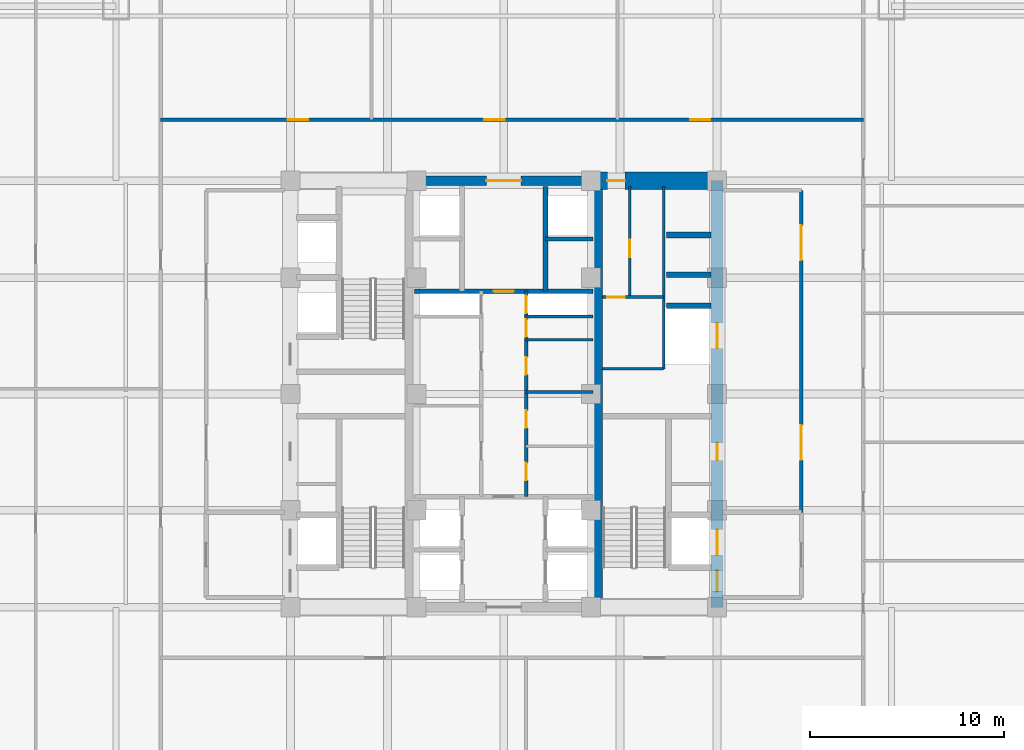
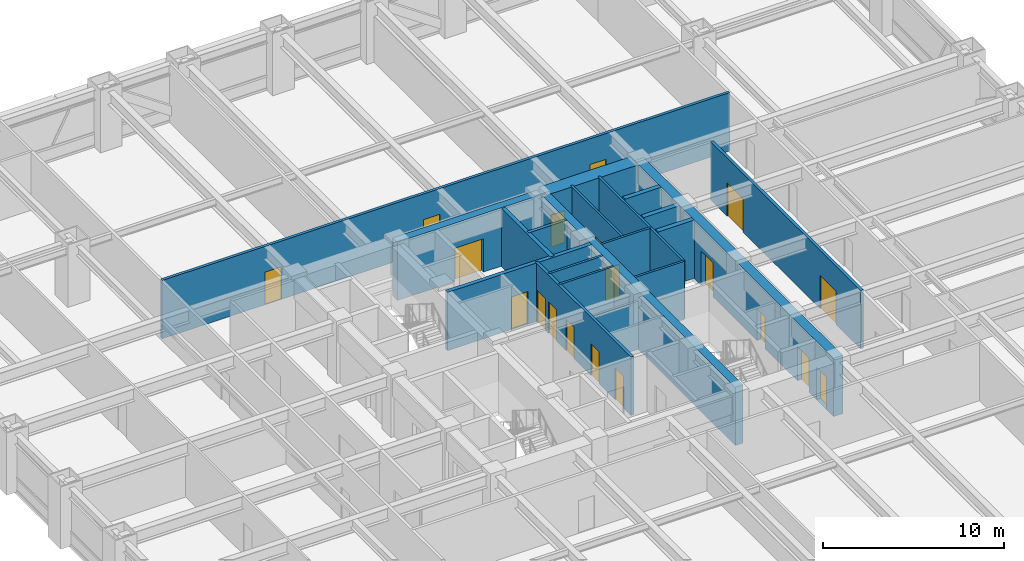
# One storey, part 26 of 32: 20 walls, 19 doors, 19 openings.
"""IFC4 building model written with IfcOpenShell, lengths in metres."""

from ifc_helpers import new_model, si_unit, direction, frame, frame_2d, origin, place, context, subcontext, project, spatial, rectangle, extrude, source, transform, mapped, material, layer, layer_set, type_object, element, fill, save


model = new_model("IFC4")

# Units and contexts
model_context = context("Model", 3, precision=1e-05, world=origin(), true_north=direction((0.0, 1.0)))
body_context = subcontext(model_context, "Body", "Model", "MODEL_VIEW")
ifc_project = project(units=[si_unit("LENGTHUNIT", "METRE"), si_unit("AREAUNIT", "SQUARE_METRE"), si_unit("VOLUMEUNIT", "CUBIC_METRE"), si_unit("PLANEANGLEUNIT", "RADIAN"), si_unit("MASSUNIT", "GRAM", prefix="KILO")], contexts=[model_context])

# Site, building, storey
site_placement = place(None, origin())
site = spatial("IfcSite", under=ifc_project, at=site_placement, CompositionType="ELEMENT")
building_placement = place(site_placement, origin())
building = spatial("IfcBuilding", under=site, at=building_placement, Name="Khorayat Bourse Tower", CompositionType="ELEMENT")
storey_placement = place(building_placement, frame((0.0, 0.0, 70.39990234375)))
storey = spatial("IfcBuildingStorey", under=building, at=storey_placement, Name="L15", CompositionType="ELEMENT", Elevation=70.39990234375)

# Wall, openings, doors
ifc_material_1 = material(Name="Concrete C60/75", Category="concrete")
ifc_layer_1 = layer(ifc_material_1, 0.60009765625)
ifc_layer_set_1 = layer_set([ifc_layer_1], Name="Concrete C60/75")
wall_type_1 = type_object("IfcWallType", Name="WAL-CORE-600", PredefinedType="SHEAR", material=ifc_layer_set_1)
shared_shape_1 = source(origin(), body_context, "Body", "SweptSolid", [
    extrude(rectangle(XDim=22.0, YDim=0.60009765625, at=frame_2d((11.0, 0.0))), origin(), (0.0, 0.0, 1.0), 3.940185546875),
])
wall_1_placement = place(storey_placement, frame((11.0, -11.0, 0.0), z_axis=(0.0, 0.0, 1.0), x_axis=(0.0, 1.0, 0.0)))
wall_1 = element("IfcWall", 1, at=wall_1_placement, inside=storey, type_object=wall_type_1, Name="L15 Core Shear Wall CORE-E", PredefinedType="SHEAR", context=body_context, shape_type="MappedRepresentation", body=[
    mapped(shared_shape_1, transform((0.0, 0.0, 0.0), scale=1.0)),
])
shared_shape_2 = source(origin(), body_context, "Body", "SweptSolid", [
    extrude(rectangle(XDim=1.10009765625, YDim=2.199951171875, at=frame_2d((0.550048828125, 1.10009765625))), frame((0.0, 0.31005859375, 0.0), z_axis=(0.0, -1.0, 0.0), x_axis=(1.0, 0.0, 0.0)), (0.0, 0.0, 1.0), 0.6201171875),
])
opening_1_placement = place(wall_1_placement, frame((0.800048828125, 0.0, 0.0)))
opening_1 = element("IfcOpeningElement", 2, at=opening_1_placement, cuts=wall_1, Name="Opening DI-01", PredefinedType="OPENING", context=body_context, shape_type="MappedRepresentation", body=[
    mapped(shared_shape_2, transform((0.0, 0.0, 0.0), scale=1.0)),
])
shared_shape_3 = source(origin(), body_context, "Body", "SweptSolid", [
    extrude(rectangle(XDim=0.89990234375, YDim=2.14990234375, at=frame_2d((0.449951171875, 1.074951171875))), frame((0.0, 0.31005859375, 0.0), z_axis=(0.0, -1.0, 0.0), x_axis=(1.0, 0.0, 0.0)), (0.0, 0.0, 1.0), 0.6201171875),
])
opening_2_placement = place(wall_1_placement, frame((7.574951171875, 0.0, 0.0)))
opening_2 = element("IfcOpeningElement", 3, at=opening_2_placement, cuts=wall_1, Name="Opening DI-06", PredefinedType="OPENING", context=body_context, shape_type="MappedRepresentation", body=[
    mapped(shared_shape_3, transform((0.0, 0.0, 0.0), scale=1.0)),
])
shared_shape_4 = source(origin(), body_context, "Body", "SweptSolid", [
    extrude(rectangle(XDim=1.300048828125, YDim=2.300048828125, at=frame_2d((0.64990234375, 1.14990234375))), frame((0.0, 0.31005859375, 0.0), z_axis=(0.0, -1.0, 0.0), x_axis=(1.0, 0.0, 0.0)), (0.0, 0.0, 1.0), 0.6201171875),
])
opening_3_placement = place(wall_1_placement, frame((2.699951171875, 0.0, 0.0)))
opening_3 = element("IfcOpeningElement", 4, at=opening_3_placement, cuts=wall_1, Name="Opening LD-02", PredefinedType="OPENING", context=body_context, shape_type="MappedRepresentation", body=[
    mapped(shared_shape_4, transform((0.0, 0.0, 0.0), scale=1.0)),
])
opening_4_placement = place(wall_1_placement, frame((13.35009765625, 0.0, 0.0)))
opening_4 = element("IfcOpeningElement", 5, at=opening_4_placement, cuts=wall_1, Name="Opening LD-02", PredefinedType="OPENING", context=body_context, shape_type="MappedRepresentation", body=[
    mapped(shared_shape_4, transform((0.0, 0.0, 0.0), scale=1.0)),
])
ifc_material_2 = material(Name="Fire-rated steel acoustic leaf", Category="steel")
door_type_1 = type_object("IfcDoorType", Name="DR-INT-STAIR-1100", OperationType="NOTDEFINED", PredefinedType="DOOR", material=ifc_material_2)
shared_shape_5 = source(origin(), body_context, "Body", "SweptSolid", [
    extrude(rectangle(XDim=1.10009765625, YDim=2.199951171875, at=frame_2d((0.550048828125, 1.10009765625))), frame((0.0, 0.02490234375, 0.0), z_axis=(0.0, -1.0, 0.0), x_axis=(1.0, 0.0, 0.0)), (0.0, 0.0, 1.0), 0.050048828125),
])
door_1_placement = place(opening_1_placement, origin())
door_1 = element("IfcDoor", 6, at=door_1_placement, inside=storey, type_object=door_type_1, Name="L15 Exit Stair 3 Door", OperationType="SINGLE_SWING_LEFT", OverallHeight=2.199951171875, OverallWidth=1.10009765625, PredefinedType="DOOR", context=body_context, shape_type="MappedRepresentation", body=[
    mapped(shared_shape_5, transform((0.0, 0.0, 0.0), scale=1.0)),
])
fill(opening_1, door_1)
ifc_material_3 = material(Name="Moisture-resistant laminate washroom door")
door_type_2 = type_object("IfcDoorType", Name="DR-INT-WC-900", OperationType="NOTDEFINED", PredefinedType="DOOR", material=ifc_material_3)
shared_shape_6 = source(origin(), body_context, "Body", "SweptSolid", [
    extrude(rectangle(XDim=0.89990234375, YDim=2.14990234375, at=frame_2d((0.449951171875, 1.074951171875))), frame((0.0, 0.02490234375, 0.0), z_axis=(0.0, -1.0, 0.0), x_axis=(1.0, 0.0, 0.0)), (0.0, 0.0, 1.0), 0.050048828125),
])
door_2_placement = place(opening_2_placement, origin())
door_2 = element("IfcDoor", 7, at=door_2_placement, inside=storey, type_object=door_type_2, Name="L15 Fiber Server Plant Room Door", OperationType="SINGLE_SWING_LEFT", OverallHeight=2.14990234375, OverallWidth=0.89990234375, PredefinedType="DOOR", context=body_context, shape_type="MappedRepresentation", body=[
    mapped(shared_shape_6, transform((0.0, 0.0, 0.0), scale=1.0)),
])
fill(opening_2, door_2)
ifc_material_4 = material(Name="Fire-rated stainless-steel sliding landing door", Category="steel")
door_type_3 = type_object("IfcDoorType", Name="DR-LIFT-FF-1300", OperationType="NOTDEFINED", PredefinedType="DOOR", material=ifc_material_4)
shared_shape_7 = source(origin(), body_context, "Body", "SweptSolid", [
    extrude(rectangle(XDim=1.300048828125, YDim=2.300048828125, at=frame_2d((0.64990234375, 1.14990234375))), frame((0.0, 0.02490234375, 0.0), z_axis=(0.0, -1.0, 0.0), x_axis=(1.0, 0.0, 0.0)), (0.0, 0.0, 1.0), 0.050048828125),
])
door_3_placement = place(opening_3_placement, origin())
door_3 = element("IfcDoor", 8, at=door_3_placement, inside=storey, type_object=door_type_3, Name="L15 Lift FFL-02 Sliding Landing Door", OperationType="SLIDING_TO_LEFT", OverallHeight=2.300048828125, OverallWidth=1.300048828125, PredefinedType="DOOR", context=body_context, shape_type="MappedRepresentation", body=[
    mapped(shared_shape_7, transform((0.0, 0.0, 0.0), scale=1.0)),
])
fill(opening_3, door_3)
door_4_placement = place(opening_4_placement, origin())
door_4 = element("IfcDoor", 9, at=door_4_placement, inside=storey, type_object=door_type_3, Name="L15 Lift SVL-01 Sliding Landing Door", OperationType="SLIDING_TO_LEFT", OverallHeight=2.300048828125, OverallWidth=1.300048828125, PredefinedType="DOOR", context=body_context, shape_type="MappedRepresentation", body=[
    mapped(shared_shape_7, transform((0.0, 0.0, 0.0), scale=1.0)),
])
fill(opening_4, door_4)

# Wall
ifc_material_5 = material(Name="Concrete C52/65", Category="concrete")
ifc_layer_2 = layer(ifc_material_5, 0.5)
ifc_layer_set_2 = layer_set([ifc_layer_2], Name="Concrete C52/65")
wall_type_2 = type_object("IfcWallType", Name="WAL-CORE-500", PredefinedType="SHEAR", material=ifc_layer_set_2)
shared_shape_8 = source(origin(), body_context, "Body", "SweptSolid", [
    extrude(rectangle(XDim=21.39990234375, YDim=0.5, at=frame_2d((10.699951171875, 0.0))), origin(), (0.0, 0.0, 1.0), 3.940185546875),
])
wall_2_placement = place(storey_placement, frame((4.85009765625, -10.699951171875, 0.0), z_axis=(0.0, 0.0, 1.0), x_axis=(0.0, 1.0, 0.0)))
element("IfcWall", 10, at=wall_2_placement, inside=storey, type_object=wall_type_2, Name="L15 Core Shear Wall PIER-E", PredefinedType="SHEAR", context=body_context, shape_type="MappedRepresentation", body=[
    mapped(shared_shape_8, transform((0.0, 0.0, 0.0), scale=1.0)),
])

# Wall, opening, door
ifc_material_6 = material(Name="Concrete C72/90", Category="concrete")
ifc_layer_3 = layer(ifc_material_6, 0.89990234375)
ifc_layer_set_3 = layer_set([ifc_layer_3], Name="Concrete C72/90")
wall_type_3 = type_object("IfcWallType", Name="WAL-CORE-900", PredefinedType="SHEAR", material=ifc_layer_set_3)
shared_shape_9 = source(origin(), body_context, "Body", "SweptSolid", [
    extrude(rectangle(XDim=5.849853515625, YDim=0.89990234375, at=frame_2d((2.9248046875, 0.0))), origin(), (0.0, 0.0, 1.0), 3.940185546875),
])
wall_3_placement = place(storey_placement, frame((4.85009765625, 11.0, 0.0), z_axis=(0.0, 0.0, 1.0), x_axis=(1.0, 0.0, 0.0)))
wall_3 = element("IfcWall", 11, at=wall_3_placement, inside=storey, type_object=wall_type_3, Name="L15 Core Shear Wall PIER-EN", PredefinedType="SHEAR", context=body_context, shape_type="MappedRepresentation", body=[
    mapped(shared_shape_9, transform((0.0, 0.0, 0.0), scale=1.0)),
])
shared_shape_10 = source(origin(), body_context, "Body", "SweptSolid", [
    extrude(rectangle(XDim=0.89990234375, YDim=2.14990234375, at=frame_2d((0.449951171875, 1.074951171875))), frame((0.0, 0.4599609375, 0.0), z_axis=(0.0, -1.0, 0.0), x_axis=(1.0, 0.0, 0.0)), (0.0, 0.0, 1.0), 0.919921875),
])
opening_5_placement = place(wall_3_placement, frame((0.5, 0.0, 0.0)))
opening_5 = element("IfcOpeningElement", 12, at=opening_5_placement, cuts=wall_3, Name="Opening DI-06", PredefinedType="OPENING", context=body_context, shape_type="MappedRepresentation", body=[
    mapped(shared_shape_10, transform((0.0, 0.0, 0.0), scale=1.0)),
])
door_5_placement = place(opening_5_placement, origin())
door_5 = element("IfcDoor", 13, at=door_5_placement, inside=storey, type_object=door_type_2, Name="L15 Core Washroom Lobby Door", OperationType="SINGLE_SWING_LEFT", OverallHeight=2.14990234375, OverallWidth=0.89990234375, PredefinedType="DOOR", context=body_context, shape_type="MappedRepresentation", body=[
    mapped(shared_shape_6, transform((0.0, 0.0, 0.0), scale=1.0)),
])
fill(opening_5, door_5)

shared_shape_11 = source(origin(), body_context, "Body", "SweptSolid", [
    extrude(rectangle(XDim=9.2001953125, YDim=0.5, at=frame_2d((4.60009765625, 0.0))), origin(), (0.0, 0.0, 1.0), 3.940185546875),
])
wall_4_placement = place(storey_placement, frame((-4.60009765625, 11.0, 0.0), z_axis=(0.0, 0.0, 1.0), x_axis=(1.0, 0.0, 0.0)))
wall_4 = element("IfcWall", 14, at=wall_4_placement, inside=storey, type_object=wall_type_2, Name="L15 Core Shear Wall CORE-N", PredefinedType="SHEAR", context=body_context, shape_type="MappedRepresentation", body=[
    mapped(shared_shape_11, transform((0.0, 0.0, 0.0), scale=1.0)),
])
shared_shape_12 = source(origin(), body_context, "Body", "SweptSolid", [
    extrude(rectangle(XDim=1.800048828125, YDim=2.25, at=frame_2d((0.89990234375, 1.125))), frame((0.0, 0.260009765625, 0.0), z_axis=(0.0, -1.0, 0.0), x_axis=(1.0, 0.0, 0.0)), (0.0, 0.0, 1.0), 0.52001953125),
])
opening_6_placement = place(wall_4_placement, frame((3.699951171875, 0.0, 0.0)))
opening_6 = element("IfcOpeningElement", 15, at=opening_6_placement, cuts=wall_4, Name="Opening DI-03", PredefinedType="OPENING", context=body_context, shape_type="MappedRepresentation", body=[
    mapped(shared_shape_12, transform((0.0, 0.0, 0.0), scale=1.0)),
])
ifc_material_7 = material(Name="Fire-rated hardwood vision-panel double leaf", Category="wood")
door_type_4 = type_object("IfcDoorType", Name="DR-INT-CORR-1800", OperationType="NOTDEFINED", PredefinedType="DOOR", material=ifc_material_7)
shared_shape_13 = source(origin(), body_context, "Body", "SweptSolid", [
    extrude(rectangle(XDim=1.800048828125, YDim=2.25, at=frame_2d((0.89990234375, 1.125))), frame((0.0, 0.02490234375, 0.0), z_axis=(0.0, -1.0, 0.0), x_axis=(1.0, 0.0, 0.0)), (0.0, 0.0, 1.0), 0.050048828125),
])
door_6_placement = place(opening_6_placement, origin())
door_6 = element("IfcDoor", 16, at=door_6_placement, inside=storey, type_object=door_type_4, Name="L15 Mid-Rise Lift Lobby Door", OperationType="SINGLE_SWING_RIGHT", OverallHeight=2.25, OverallWidth=1.800048828125, PredefinedType="DOOR", context=body_context, shape_type="MappedRepresentation", body=[
    mapped(shared_shape_13, transform((0.0, 0.0, 0.0), scale=1.0)),
])
fill(opening_6, door_6)

# Walls
ifc_material_8 = material(Name="Concrete C50/60", Category="concrete")
ifc_layer_4 = layer(ifc_material_8, 0.300048828125)
ifc_layer_set_4 = layer_set([ifc_layer_4], Name="Concrete C50/60")
wall_type_4 = type_object("IfcWallType", Name="WAL-SHAFT-300", PredefinedType="SHEAR", material=ifc_layer_set_4)
shared_shape_14 = source(origin(), body_context, "Body", "SweptSolid", [
    extrude(rectangle(XDim=2.300048828125, YDim=0.300048828125, at=frame_2d((1.14990234375, 0.0))), origin(), (0.0, 0.0, 1.0), 3.940185546875),
])
for number, where, z_axis, x_axis, name in (
    (17, (8.39990234375, 4.550048828125, 0.0), (0.0, 0.0, 1.0), (1.0, 0.0, 0.0), "L15 Partition WAL-L15-EPIER-SVLN"),
    (18, (8.39990234375, 6.14990234375, 0.0), (0.0, 0.0, 1.0), (1.0, 0.0, 0.0), "L15 Partition WAL-L15-EPIER-H3S"),
    (19, (8.39990234375, 8.199951171875, 0.0), (0.0, 0.0, 1.0), (1.0, 0.0, 0.0), "L15 Partition WAL-L15-EPIER-H34"),
):
    element("IfcWall", number, at=place(storey_placement, frame(where, z_axis=z_axis, x_axis=x_axis)), inside=storey, type_object=wall_type_4, Name=name, PredefinedType="SHEAR", context=body_context, shape_type="MappedRepresentation", body=[
        mapped(shared_shape_14, transform((0.0, 0.0, 0.0), scale=1.0)),
    ])
ifc_material_9 = material(Name="Moisture-resistant masonry partition", Category="masonry")
ifc_layer_5 = layer(ifc_material_9, 0.139892578125)
ifc_layer_set_5 = layer_set([ifc_layer_5], Name="Moisture-resistant masonry partition")
wall_type_5 = type_object("IfcWallType", Name="WAL-PART-WET-140", PredefinedType="PARTITIONING", material=ifc_layer_set_5)
shared_shape_15 = source(origin(), body_context, "Body", "SweptSolid", [
    extrude(rectangle(XDim=9.39990234375, YDim=0.139892578125, at=frame_2d((4.699951171875, 0.0))), origin(), (0.0, 0.0, 1.0), 3.940185546875),
])
wall_5_placement = place(storey_placement, frame((8.25, 1.300048828125, 0.0), z_axis=(0.0, 0.0, 1.0), x_axis=(0.0, 1.0, 0.0)))
element("IfcWall", 20, at=wall_5_placement, inside=storey, type_object=wall_type_5, Name="L15 Partition WAL-L15-ECORE-E", PredefinedType="PARTITIONING", context=body_context, shape_type="MappedRepresentation", body=[
    mapped(shared_shape_15, transform((0.0, 0.0, 0.0), scale=1.0)),
])
shared_shape_16 = source(origin(), body_context, "Body", "SweptSolid", [
    extrude(rectangle(XDim=3.14990234375, YDim=0.139892578125, at=frame_2d((1.574951171875, 0.0))), origin(), (0.0, 0.0, 1.0), 3.940185546875),
])
wall_6_placement = place(storey_placement, frame((5.10009765625, 1.300048828125, 0.0), z_axis=(0.0, 0.0, 1.0), x_axis=(1.0, 0.0, 0.0)))
element("IfcWall", 21, at=wall_6_placement, inside=storey, type_object=wall_type_5, Name="L15 Partition WAL-L15-ECORE-S", PredefinedType="PARTITIONING", context=body_context, shape_type="MappedRepresentation", body=[
    mapped(shared_shape_16, transform((0.0, 0.0, 0.0), scale=1.0)),
])

# Wall, opening, door
wall_7_placement = place(storey_placement, frame((5.10009765625, 5.0, 0.0), z_axis=(0.0, 0.0, 1.0), x_axis=(1.0, 0.0, 0.0)))
wall_7 = element("IfcWall", 22, at=wall_7_placement, inside=storey, type_object=wall_type_5, Name="L15 Partition WAL-L15-ECW-BOT", PredefinedType="PARTITIONING", context=body_context, shape_type="MappedRepresentation", body=[
    mapped(shared_shape_16, transform((0.0, 0.0, 0.0), scale=1.0)),
])
shared_shape_17 = source(origin(), body_context, "Body", "SweptSolid", [
    extrude(rectangle(XDim=0.89990234375, YDim=2.14990234375, at=frame_2d((0.449951171875, 1.074951171875))), frame((0.0, 0.079833984375, 0.0), z_axis=(0.0, -1.0, 0.0), x_axis=(1.0, 0.0, 0.0)), (0.0, 0.0, 1.0), 0.159912109375),
])
opening_7_placement = place(wall_7_placement, frame((0.25, 0.0, 0.0)))
opening_7 = element("IfcOpeningElement", 23, at=opening_7_placement, cuts=wall_7, Name="Opening DI-06", PredefinedType="OPENING", context=body_context, shape_type="MappedRepresentation", body=[
    mapped(shared_shape_17, transform((0.0, 0.0, 0.0), scale=1.0)),
])
door_7_placement = place(opening_7_placement, origin())
door_7 = element("IfcDoor", 24, at=door_7_placement, inside=storey, type_object=door_type_2, Name="L15 Shared Washroom Door", OperationType="SINGLE_SWING_LEFT", OverallHeight=2.14990234375, OverallWidth=0.89990234375, PredefinedType="DOOR", context=body_context, shape_type="MappedRepresentation", body=[
    mapped(shared_shape_6, transform((0.0, 0.0, 0.0), scale=1.0)),
])
fill(opening_7, door_7)

# Wall, openings, doors
ifc_material_10 = material(Name="Gypsum plasterboard acoustic stud wall")
ifc_layer_6 = layer(ifc_material_10, 0.179931640625)
ifc_layer_set_6 = layer_set([ifc_layer_6], Name="Gypsum plasterboard acoustic stud wall")
wall_type_6 = type_object("IfcWallType", Name="WAL-PART-CORR-180", PredefinedType="PARTITIONING", material=ifc_layer_set_6)
shared_shape_18 = source(origin(), body_context, "Body", "SweptSolid", [
    extrude(rectangle(XDim=16.60009765625, YDim=0.179931640625, at=frame_2d((8.300048828125, 0.0))), origin(), (0.0, 0.0, 1.0), 3.940185546875),
])
wall_8_placement = place(storey_placement, frame((15.35009765625, -6.10009765625, 0.0), z_axis=(0.0, 0.0, 1.0), x_axis=(0.0, 1.0, 0.0)))
wall_8 = element("IfcWall", 25, at=wall_8_placement, inside=storey, type_object=wall_type_6, Name="L15 Partition WAL-L15-ELOB-E", PredefinedType="PARTITIONING", context=body_context, shape_type="MappedRepresentation", body=[
    mapped(shared_shape_18, transform((0.0, 0.0, 0.0), scale=1.0)),
])
shared_shape_19 = source(origin(), body_context, "Body", "SweptSolid", [
    extrude(rectangle(XDim=1.800048828125, YDim=2.25, at=frame_2d((0.89990234375, 1.125))), frame((0.0, 0.099853515625, 0.0), z_axis=(0.0, -1.0, 0.0), x_axis=(1.0, 0.0, 0.0)), (0.0, 0.0, 1.0), 0.199951171875),
])
opening_8_placement = place(wall_8_placement, frame((2.699951171875, 0.0, 0.0)))
opening_8 = element("IfcOpeningElement", 26, at=opening_8_placement, cuts=wall_8, Name="Opening DI-03", PredefinedType="OPENING", context=body_context, shape_type="MappedRepresentation", body=[
    mapped(shared_shape_19, transform((0.0, 0.0, 0.0), scale=1.0)),
])
opening_9_placement = place(wall_8_placement, frame((13.0, 0.0, 0.0)))
opening_9 = element("IfcOpeningElement", 27, at=opening_9_placement, cuts=wall_8, Name="Opening DI-03", PredefinedType="OPENING", context=body_context, shape_type="MappedRepresentation", body=[
    mapped(shared_shape_19, transform((0.0, 0.0, 0.0), scale=1.0)),
])
door_8_placement = place(opening_8_placement, origin())
door_8 = element("IfcDoor", 28, at=door_8_placement, inside=storey, type_object=door_type_4, Name="L15 East Core Lobby South Door", OperationType="SINGLE_SWING_RIGHT", OverallHeight=2.25, OverallWidth=1.800048828125, PredefinedType="DOOR", context=body_context, shape_type="MappedRepresentation", body=[
    mapped(shared_shape_13, transform((0.0, 0.0, 0.0), scale=1.0)),
])
fill(opening_8, door_8)
door_9_placement = place(opening_9_placement, origin())
door_9 = element("IfcDoor", 29, at=door_9_placement, inside=storey, type_object=door_type_4, Name="L15 East Core Lobby North Door", OperationType="SINGLE_SWING_LEFT", OverallHeight=2.25, OverallWidth=1.800048828125, PredefinedType="DOOR", context=body_context, shape_type="MappedRepresentation", body=[
    mapped(shared_shape_13, transform((0.0, 0.0, 0.0), scale=1.0)),
])
fill(opening_9, door_9)

# Walls
ifc_material_11 = material(Name="Gypsum plasterboard twin-frame partition")
ifc_layer_7 = layer(ifc_material_11, 0.14990234375)
ifc_layer_set_7 = layer_set([ifc_layer_7], Name="Gypsum plasterboard twin-frame partition")
wall_type_7 = type_object("IfcWallType", Name="WAL-PART-SUITE-150", PredefinedType="PARTITIONING", material=ifc_layer_set_7)
shared_shape_20 = source(origin(), body_context, "Body", "SweptSolid", [
    extrude(rectangle(XDim=3.4501953125, YDim=0.14990234375, at=frame_2d((1.72509765625, 0.0))), origin(), (0.0, 0.0, 1.0), 3.940185546875),
])
wall_9_placement = place(storey_placement, frame((1.14990234375, 4.0, 0.0), z_axis=(0.0, 0.0, 1.0), x_axis=(1.0, 0.0, 0.0)))
element("IfcWall", 30, at=wall_9_placement, inside=storey, type_object=wall_type_7, Name="L15 Partition WAL-L15-CRSE-S", PredefinedType="PARTITIONING", context=body_context, shape_type="MappedRepresentation", body=[
    mapped(shared_shape_20, transform((0.0, 0.0, 0.0), scale=1.0)),
])
shared_shape_21 = source(origin(), body_context, "Body", "SweptSolid", [
    extrude(rectangle(XDim=5.39990234375, YDim=0.25, at=frame_2d((2.699951171875, 0.0))), origin(), (0.0, 0.0, 1.0), 3.940185546875),
])
wall_10_placement = place(storey_placement, frame((2.14990234375, 5.300048828125, 0.0), z_axis=(0.0, 0.0, 1.0), x_axis=(0.0, 1.0, 0.0)))
element("IfcWall", 31, at=wall_10_placement, inside=storey, type_object=wall_type_4, Name="L15 Partition WAL-L15-B2-E", PredefinedType="SHEAR", context=body_context, shape_type="MappedRepresentation", body=[
    mapped(shared_shape_21, transform((0.0, 0.0, 0.0), scale=1.0)),
])
shared_shape_22 = source(origin(), body_context, "Body", "SweptSolid", [
    extrude(rectangle(XDim=2.4501953125, YDim=0.199951171875, at=frame_2d((1.22509765625, 0.0))), origin(), (0.0, 0.0, 1.0), 3.940185546875),
])
wall_11_placement = place(storey_placement, frame((2.14990234375, 8.0, 0.0), z_axis=(0.0, 0.0, 1.0), x_axis=(1.0, 0.0, 0.0)))
element("IfcWall", 32, at=wall_11_placement, inside=storey, type_object=wall_type_4, Name="L15 Partition WAL-L15-B2-ME", PredefinedType="SHEAR", context=body_context, shape_type="MappedRepresentation", body=[
    mapped(shared_shape_22, transform((0.0, 0.0, 0.0), scale=1.0)),
])

# Wall, opening, door
shared_shape_23 = source(origin(), body_context, "Body", "SweptSolid", [
    extrude(rectangle(XDim=9.2001953125, YDim=0.25, at=frame_2d((4.60009765625, 0.0))), origin(), (0.0, 0.0, 1.0), 3.940185546875),
])
wall_12_placement = place(storey_placement, frame((-4.60009765625, 5.300048828125, 0.0), z_axis=(0.0, 0.0, 1.0), x_axis=(1.0, 0.0, 0.0)))
wall_12 = element("IfcWall", 33, at=wall_12_placement, inside=storey, type_object=wall_type_4, Name="L15 Partition WAL-L15-B2-S", PredefinedType="SHEAR", context=body_context, shape_type="MappedRepresentation", body=[
    mapped(shared_shape_23, transform((0.0, 0.0, 0.0), scale=1.0)),
])
shared_shape_24 = source(origin(), body_context, "Body", "SweptSolid", [
    extrude(rectangle(XDim=1.050048828125, YDim=2.199951171875, at=frame_2d((0.52490234375, 1.10009765625))), frame((0.0, 0.135009765625, 0.0), z_axis=(0.0, -1.0, 0.0), x_axis=(1.0, 0.0, 0.0)), (0.0, 0.0, 1.0), 0.27001953125),
])
opening_10_placement = place(wall_12_placement, frame((4.074951171875, 0.0, 0.0)))
opening_10 = element("IfcOpeningElement", 34, at=opening_10_placement, cuts=wall_12, Name="Opening DI-04", PredefinedType="OPENING", context=body_context, shape_type="MappedRepresentation", body=[
    mapped(shared_shape_24, transform((0.0, 0.0, 0.0), scale=1.0)),
])
ifc_material_12 = material(Name="Fire-rated oak veneer suite entrance door")
door_type_5 = type_object("IfcDoorType", Name="DR-INT-SUITE-1050", OperationType="NOTDEFINED", PredefinedType="DOOR", material=ifc_material_12)
shared_shape_25 = source(origin(), body_context, "Body", "SweptSolid", [
    extrude(rectangle(XDim=1.050048828125, YDim=2.199951171875, at=frame_2d((0.52490234375, 1.10009765625))), frame((0.0, 0.02490234375, 0.0), z_axis=(0.0, -1.0, 0.0), x_axis=(1.0, 0.0, 0.0)), (0.0, 0.0, 1.0), 0.050048828125),
])
door_10_placement = place(opening_10_placement, origin())
door_10 = element("IfcDoor", 35, at=door_10_placement, inside=storey, type_object=door_type_5, Name="L15 Core Spine North Door", OperationType="SINGLE_SWING_RIGHT", OverallHeight=2.199951171875, OverallWidth=1.050048828125, PredefinedType="DOOR", context=body_context, shape_type="MappedRepresentation", body=[
    mapped(shared_shape_25, transform((0.0, 0.0, 0.0), scale=1.0)),
])
fill(opening_10, door_10)

# Wall, openings, doors
shared_shape_26 = source(origin(), body_context, "Body", "SweptSolid", [
    extrude(rectangle(XDim=10.60009765625, YDim=0.179931640625, at=frame_2d((5.300048828125, 0.0))), origin(), (0.0, 0.0, 1.0), 3.940185546875),
])
wall_13_placement = place(storey_placement, frame((1.14990234375, -5.300048828125, 0.0), z_axis=(0.0, 0.0, 1.0), x_axis=(0.0, 1.0, 0.0)))
wall_13 = element("IfcWall", 36, at=wall_13_placement, inside=storey, type_object=wall_type_6, Name="L15 Partition WAL-L15-CME-L", PredefinedType="PARTITIONING", context=body_context, shape_type="MappedRepresentation", body=[
    mapped(shared_shape_26, transform((0.0, 0.0, 0.0), scale=1.0)),
])
shared_shape_27 = source(origin(), body_context, "Body", "SweptSolid", [
    extrude(rectangle(XDim=0.89990234375, YDim=2.14990234375, at=frame_2d((0.449951171875, 1.074951171875))), frame((0.0, 0.099853515625, 0.0), z_axis=(0.0, -1.0, 0.0), x_axis=(1.0, 0.0, 0.0)), (0.0, 0.0, 1.0), 0.199951171875),
])
opening_11_placement = place(wall_13_placement, frame((0.85009765625, 0.0, 0.0)))
opening_11 = element("IfcOpeningElement", 37, at=opening_11_placement, cuts=wall_13, Name="Opening DI-06", PredefinedType="OPENING", context=body_context, shape_type="MappedRepresentation", body=[
    mapped(shared_shape_27, transform((0.0, 0.0, 0.0), scale=1.0)),
])
opening_12_placement = place(wall_13_placement, frame((3.550048828125, 0.0, 0.0)))
opening_12 = element("IfcOpeningElement", 38, at=opening_12_placement, cuts=wall_13, Name="Opening DI-06", PredefinedType="OPENING", context=body_context, shape_type="MappedRepresentation", body=[
    mapped(shared_shape_27, transform((0.0, 0.0, 0.0), scale=1.0)),
])
opening_13_placement = place(wall_13_placement, frame((6.300048828125, 0.0, 0.0)))
opening_13 = element("IfcOpeningElement", 39, at=opening_13_placement, cuts=wall_13, Name="Opening DI-06", PredefinedType="OPENING", context=body_context, shape_type="MappedRepresentation", body=[
    mapped(shared_shape_27, transform((0.0, 0.0, 0.0), scale=1.0)),
])
opening_14_placement = place(wall_13_placement, frame((8.25, 0.0, 0.0)))
opening_14 = element("IfcOpeningElement", 40, at=opening_14_placement, cuts=wall_13, Name="Opening DI-06", PredefinedType="OPENING", context=body_context, shape_type="MappedRepresentation", body=[
    mapped(shared_shape_27, transform((0.0, 0.0, 0.0), scale=1.0)),
])
opening_15_placement = place(wall_13_placement, frame((9.47509765625, 0.0, 0.0)))
opening_15 = element("IfcOpeningElement", 41, at=opening_15_placement, cuts=wall_13, Name="Opening DI-06", PredefinedType="OPENING", context=body_context, shape_type="MappedRepresentation", body=[
    mapped(shared_shape_27, transform((0.0, 0.0, 0.0), scale=1.0)),
])
door_11_placement = place(opening_11_placement, origin())
door_11 = element("IfcDoor", 42, at=door_11_placement, inside=storey, type_object=door_type_2, Name="L15 Female Core Washroom Door", OperationType="SINGLE_SWING_RIGHT", OverallHeight=2.14990234375, OverallWidth=0.89990234375, PredefinedType="DOOR", context=body_context, shape_type="MappedRepresentation", body=[
    mapped(shared_shape_6, transform((0.0, 0.0, 0.0), scale=1.0)),
])
fill(opening_11, door_11)
door_12_placement = place(opening_12_placement, origin())
door_12 = element("IfcDoor", 43, at=door_12_placement, inside=storey, type_object=door_type_2, Name="L15 Comms Patch Room Door", OperationType="SINGLE_SWING_LEFT", OverallHeight=2.14990234375, OverallWidth=0.89990234375, PredefinedType="DOOR", context=body_context, shape_type="MappedRepresentation", body=[
    mapped(shared_shape_6, transform((0.0, 0.0, 0.0), scale=1.0)),
])
fill(opening_12, door_12)
door_13_placement = place(opening_13_placement, origin())
door_13 = element("IfcDoor", 44, at=door_13_placement, inside=storey, type_object=door_type_2, Name="L15 Janitor Cupboard Door", OperationType="SINGLE_SWING_RIGHT", OverallHeight=2.14990234375, OverallWidth=0.89990234375, PredefinedType="DOOR", context=body_context, shape_type="MappedRepresentation", body=[
    mapped(shared_shape_6, transform((0.0, 0.0, 0.0), scale=1.0)),
])
fill(opening_13, door_13)
door_14_placement = place(opening_14_placement, origin())
door_14 = element("IfcDoor", 45, at=door_14_placement, inside=storey, type_object=door_type_2, Name="L15 Fire Valve Plant Room Door", OperationType="SINGLE_SWING_LEFT", OverallHeight=2.14990234375, OverallWidth=0.89990234375, PredefinedType="DOOR", context=body_context, shape_type="MappedRepresentation", body=[
    mapped(shared_shape_6, transform((0.0, 0.0, 0.0), scale=1.0)),
])
fill(opening_14, door_14)
door_15_placement = place(opening_15_placement, origin())
door_15 = element("IfcDoor", 46, at=door_15_placement, inside=storey, type_object=door_type_2, Name="L15 East Core Riser Door", OperationType="SINGLE_SWING_RIGHT", OverallHeight=2.14990234375, OverallWidth=0.89990234375, PredefinedType="DOOR", context=body_context, shape_type="MappedRepresentation", body=[
    mapped(shared_shape_6, transform((0.0, 0.0, 0.0), scale=1.0)),
])
fill(opening_15, door_15)

# Walls
shared_shape_28 = source(origin(), body_context, "Body", "SweptSolid", [
    extrude(rectangle(XDim=3.4501953125, YDim=0.139892578125, at=frame_2d((1.72509765625, 0.0))), origin(), (0.0, 0.0, 1.0), 3.940185546875),
])
wall_14_placement = place(storey_placement, frame((1.14990234375, 2.800048828125, 0.0), z_axis=(0.0, 0.0, 1.0), x_axis=(1.0, 0.0, 0.0)))
element("IfcWall", 47, at=wall_14_placement, inside=storey, type_object=wall_type_5, Name="L15 Partition WAL-L15-CME-D3", PredefinedType="PARTITIONING", context=body_context, shape_type="MappedRepresentation", body=[
    mapped(shared_shape_28, transform((0.0, 0.0, 0.0), scale=1.0)),
])
shared_shape_29 = source(origin(), body_context, "Body", "SweptSolid", [
    extrude(rectangle(XDim=3.4501953125, YDim=0.139892578125, at=frame_2d((1.72509765625, 0.0))), origin(), (0.0, 0.0, 1.0), 3.2451171875),
])
wall_15_placement = place(storey_placement, frame((1.14990234375, 0.10009765625, 0.0), z_axis=(0.0, 0.0, 1.0), x_axis=(1.0, 0.0, 0.0)))
element("IfcWall", 48, at=wall_15_placement, inside=storey, type_object=wall_type_5, Name="L15 Partition WAL-L15-CME-D2", PredefinedType="PARTITIONING", context=body_context, shape_type="MappedRepresentation", body=[
    mapped(shared_shape_29, transform((0.0, 0.0, 0.0), scale=1.0)),
])

# Wall, opening, door
shared_shape_30 = source(origin(), body_context, "Body", "SweptSolid", [
    extrude(rectangle(XDim=5.699951171875, YDim=0.139892578125, at=frame_2d((2.85009765625, 0.0))), origin(), (0.0, 0.0, 1.0), 3.940185546875),
])
wall_16_placement = place(storey_placement, frame((6.5, 5.0, 0.0), z_axis=(0.0, 0.0, 1.0), x_axis=(0.0, 1.0, 0.0)))
wall_16 = element("IfcWall", 49, at=wall_16_placement, inside=storey, type_object=wall_type_5, Name="L15 Partition WAL-L15-ECW-MID", PredefinedType="PARTITIONING", context=body_context, shape_type="MappedRepresentation", body=[
    mapped(shared_shape_30, transform((0.0, 0.0, 0.0), scale=1.0)),
])
opening_16_placement = place(wall_16_placement, frame((2.050048828125, 0.0, 0.0)))
opening_16 = element("IfcOpeningElement", 50, at=opening_16_placement, cuts=wall_16, Name="Opening DI-06", PredefinedType="OPENING", context=body_context, shape_type="MappedRepresentation", body=[
    mapped(shared_shape_17, transform((0.0, 0.0, 0.0), scale=1.0)),
])
door_16_placement = place(opening_16_placement, origin())
door_16 = element("IfcDoor", 51, at=door_16_placement, inside=storey, type_object=door_type_2, Name="L15 Accessible WC Door", OperationType="SINGLE_SWING_RIGHT", OverallHeight=2.14990234375, OverallWidth=0.89990234375, PredefinedType="DOOR", context=body_context, shape_type="MappedRepresentation", body=[
    mapped(shared_shape_6, transform((0.0, 0.0, 0.0), scale=1.0)),
])
fill(opening_16, door_16)

# Wall, openings, doors
shared_shape_31 = source(origin(), body_context, "Body", "SweptSolid", [
    extrude(rectangle(XDim=36.25, YDim=0.179931640625, at=frame_2d((18.125, 0.0))), origin(), (0.0, 0.0, 1.0), 3.940185546875),
])
wall_17_placement = place(storey_placement, frame((-17.699951171875, 14.14990234375, 0.0), z_axis=(0.0, 0.0, 1.0), x_axis=(1.0, 0.0, 0.0)))
wall_17 = element("IfcWall", 52, at=wall_17_placement, inside=storey, type_object=wall_type_6, Name="L15 Partition WAL-L15-NCORR", PredefinedType="PARTITIONING", context=body_context, shape_type="MappedRepresentation", body=[
    mapped(shared_shape_31, transform((0.0, 0.0, 0.0), scale=1.0)),
])
shared_shape_32 = source(origin(), body_context, "Body", "SweptSolid", [
    extrude(rectangle(XDim=1.050048828125, YDim=2.199951171875, at=frame_2d((0.52490234375, 1.10009765625))), frame((0.0, 0.099853515625, 0.0), z_axis=(0.0, -1.0, 0.0), x_axis=(1.0, 0.0, 0.0)), (0.0, 0.0, 1.0), 0.199951171875),
])
opening_17_placement = place(wall_17_placement, frame((6.5625, 0.0, 0.0)))
opening_17 = element("IfcOpeningElement", 53, at=opening_17_placement, cuts=wall_17, Name="Opening DI-04", PredefinedType="OPENING", context=body_context, shape_type="MappedRepresentation", body=[
    mapped(shared_shape_32, transform((0.0, 0.0, 0.0), scale=1.0)),
])
opening_18_placement = place(wall_17_placement, frame((16.693603515625, 0.0, 0.0)))
opening_18 = element("IfcOpeningElement", 54, at=opening_18_placement, cuts=wall_17, Name="Opening DI-04", PredefinedType="OPENING", context=body_context, shape_type="MappedRepresentation", body=[
    mapped(shared_shape_32, transform((0.0, 0.0, 0.0), scale=1.0)),
])
opening_19_placement = place(wall_17_placement, frame((27.30615234375, 0.0, 0.0)))
opening_19 = element("IfcOpeningElement", 55, at=opening_19_placement, cuts=wall_17, Name="Opening DI-04", PredefinedType="OPENING", context=body_context, shape_type="MappedRepresentation", body=[
    mapped(shared_shape_32, transform((0.0, 0.0, 0.0), scale=1.0)),
])
door_17_placement = place(opening_17_placement, origin())
door_17 = element("IfcDoor", 56, at=door_17_placement, inside=storey, type_object=door_type_5, Name="L15 Issuer Listing Showroom N1 Door", OperationType="SINGLE_SWING_RIGHT", OverallHeight=2.199951171875, OverallWidth=1.050048828125, PredefinedType="DOOR", context=body_context, shape_type="MappedRepresentation", body=[
    mapped(shared_shape_25, transform((0.0, 0.0, 0.0), scale=1.0)),
])
fill(opening_17, door_17)
door_18_placement = place(opening_18_placement, origin())
door_18 = element("IfcDoor", 57, at=door_18_placement, inside=storey, type_object=door_type_5, Name="L15 Floor Reception Concierge N2 Door", OperationType="SINGLE_SWING_LEFT", OverallHeight=2.199951171875, OverallWidth=1.050048828125, PredefinedType="DOOR", context=body_context, shape_type="MappedRepresentation", body=[
    mapped(shared_shape_25, transform((0.0, 0.0, 0.0), scale=1.0)),
])
fill(opening_18, door_18)
door_19_placement = place(opening_19_placement, origin())
door_19 = element("IfcDoor", 58, at=door_19_placement, inside=storey, type_object=door_type_5, Name="L15 Equities Trading Desk N3 Door", OperationType="SINGLE_SWING_RIGHT", OverallHeight=2.199951171875, OverallWidth=1.050048828125, PredefinedType="DOOR", context=body_context, shape_type="MappedRepresentation", body=[
    mapped(shared_shape_25, transform((0.0, 0.0, 0.0), scale=1.0)),
])
fill(opening_19, door_19)

save(model, "model.ifc")
